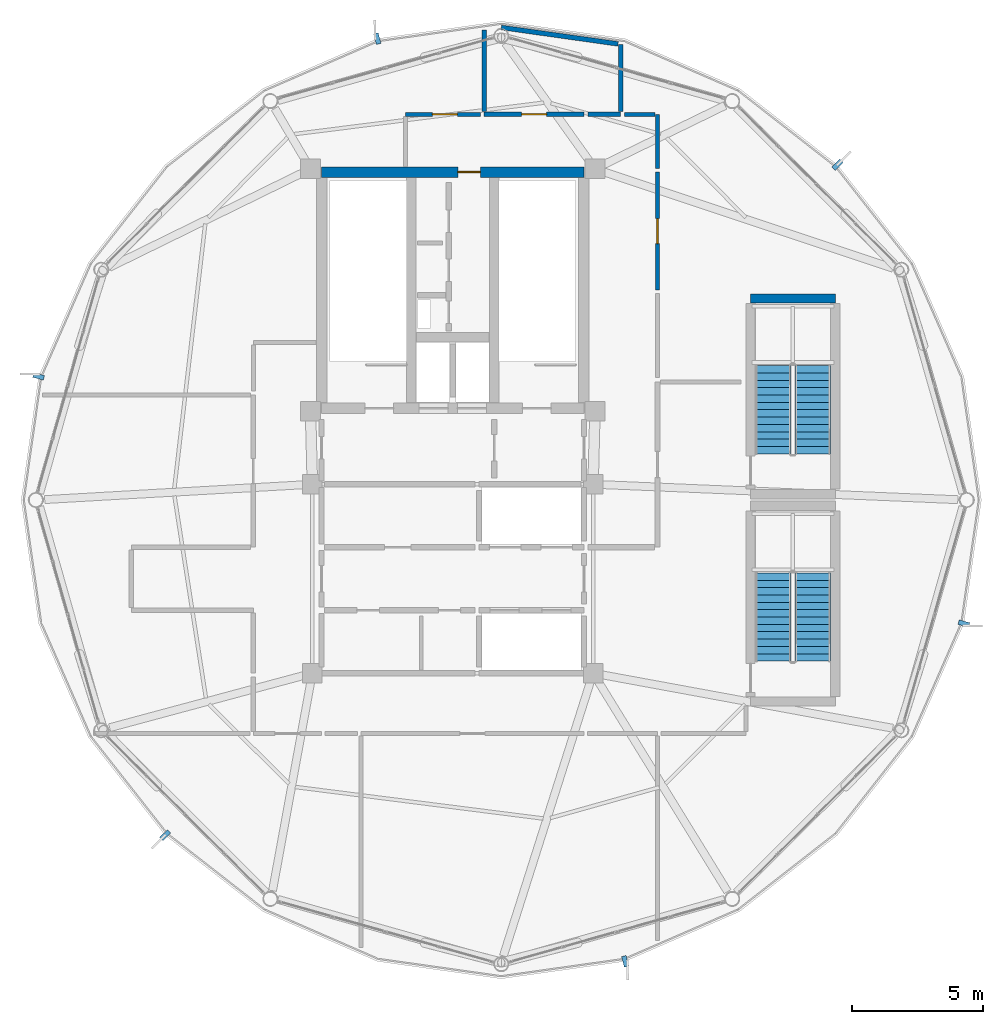
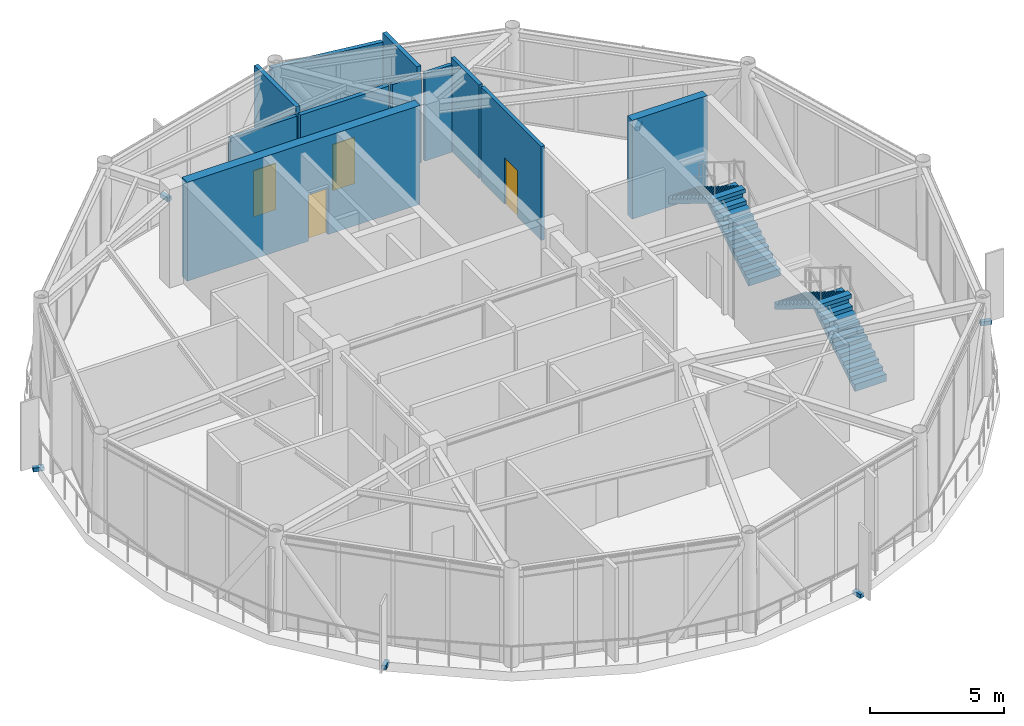
# One storey, part 23 of 26: 11 walls, 6 discrete accessories, 4 doors, 4 stair flights, 4 openings, 2 elements without a shape of their own.
"""IFC4 building model written with IfcOpenShell, lengths in metres."""

from ifc_helpers import new_model, si_unit, direction, frame, frame_2d, origin, origin_2d, place, context, subcontext, project, spatial, polyline, rectangle, outline, extrude, source, transform, mapped, material, layer, layer_set, type_object, type_shapes, element, fill, aggregate, save


model = new_model("IFC4")

# Units and contexts
model_context = context("Model", 3, precision=1e-05, world=origin(), true_north=direction((0.0, 1.0)))
body_context = subcontext(model_context, "Body", "Model", "MODEL_VIEW")
ifc_project = project(units=[si_unit("LENGTHUNIT", "METRE"), si_unit("AREAUNIT", "SQUARE_METRE"), si_unit("VOLUMEUNIT", "CUBIC_METRE"), si_unit("PLANEANGLEUNIT", "RADIAN"), si_unit("MASSUNIT", "GRAM", prefix="KILO")], contexts=[model_context])

# Site, building, storey
site_placement = place(None, origin())
site = spatial("IfcSite", under=ifc_project, at=site_placement, CompositionType="ELEMENT")
building_placement = place(site_placement, origin())
building = spatial("IfcBuilding", under=site, at=building_placement, Name="Varnakorn Sky Granary", CompositionType="ELEMENT")
storey_placement = place(building_placement, frame((0.0, 0.0, 289.5)))
storey = spatial("IfcBuildingStorey", under=building, at=storey_placement, Name="L74", CompositionType="ELEMENT", Elevation=289.5)

# Wall
ifc_material_1 = material(Name="Concrete C50/60", Category="concrete")
ifc_layer_1 = layer(ifc_material_1, 0.35009765625, Name="Concrete C50/60")
ifc_layer_set_1 = layer_set([ifc_layer_1], Name="Concrete C50/60")
wall_type_1 = type_object("IfcWallType", Name="WT-CW-INT-350", PredefinedType="SHEAR", material=ifc_layer_set_1)
wall_1_placement = place(storey_placement, frame((14.35009765625, 7.679931640625, 0.0), z_axis=(0.0, 0.0, 1.0), x_axis=(1.0, 0.0, 0.0)))
element("IfcWall", 1, at=wall_1_placement, inside=storey, type_object=wall_type_1, Name="Crown Stair STC1 North Wall L74", PredefinedType="SHEAR", context=body_context, shape_type="SweptSolid", body=[
    extrude(rectangle(XDim=3.22998046875, YDim=0.35009765625, at=frame_2d((1.614990234375, 0.0))), origin(), (0.0, 0.0, 1.0), 4.491943359375),
])

# Wall, opening, door
ifc_layer_2 = layer(ifc_material_1, 0.39990234375, Name="Concrete C50/60")
ifc_layer_set_2 = layer_set([ifc_layer_2], Name="Concrete C50/60")
wall_type_2 = type_object("IfcWallType", Name="WT-CW-SHEAR-400", PredefinedType="SHEAR", material=ifc_layer_set_2)
wall_2_placement = place(storey_placement, frame((-2.0, 12.5, 0.0), z_axis=(0.0, 0.0, 1.0), x_axis=(1.0, 0.0, 0.0)))
wall_2 = element("IfcWall", 2, at=wall_2_placement, inside=storey, type_object=wall_type_2, Name="Core North Shear Wall L74", PredefinedType="SHEAR", context=body_context, shape_type="SweptSolid", body=[
    extrude(rectangle(XDim=10.0, YDim=0.39990234375, at=frame_2d((5.0, 0.0))), origin(), (0.0, 0.0, 1.0), 4.491943359375),
])
opening_1_placement = place(wall_2_placement, frame((5.199951171875, 0.0, 0.0)))
opening_1 = element("IfcOpeningElement", 3, at=opening_1_placement, cuts=wall_2, Name="Opening FD-60N", PredefinedType="OPENING", context=body_context, shape_type="SweptSolid", body=[
    extrude(rectangle(XDim=0.85009765625, YDim=2.10009765625, at=frame_2d((0.425048828125, 1.050048828125))), frame((0.0, 0.2099609375, 0.0), z_axis=(0.0, -1.0, 0.0), x_axis=(1.0, 0.0, 0.0)), (0.0, 0.0, 1.0), 0.419921875),
])
ifc_material_2 = material(Name="Acoustic Timber Fire Leaf", Category="wood")
door_type_1 = type_object("IfcDoorType", Name="DR-FD60-850", OperationType="NOTDEFINED", PredefinedType="DOOR", material=ifc_material_2)
door_1_placement = place(opening_1_placement, origin())
door_1 = element("IfcDoor", 4, at=door_1_placement, inside=storey, type_object=door_type_1, Name="Core North Service Door L74", OperationType="SINGLE_SWING_RIGHT", OverallHeight=2.10009765625, OverallWidth=0.85009765625, PredefinedType="DOOR", context=body_context, shape_type="SweptSolid", body=[
    extrude(rectangle(XDim=0.85009765625, YDim=2.10009765625, at=frame_2d((0.425048828125, 1.050048828125))), frame((0.0, 0.02490234375, 0.0), z_axis=(0.0, -1.0, 0.0), x_axis=(1.0, 0.0, 0.0)), (0.0, 0.0, 1.0), 0.050048828125),
])
fill(opening_1, door_1)

ifc_material_3 = material(Name="Gypsum Plasterboard on Steel Stud", Category="steel")
ifc_layer_3 = layer(ifc_material_3, 0.14990234375, Name="Gypsum Plasterboard on Steel Stud")
ifc_layer_set_3 = layer_set([ifc_layer_3], Name="Gypsum Plasterboard on Steel Stud")
wall_type_3 = type_object("IfcWallType", Name="WT-PART-150", PredefinedType="PARTITIONING", material=ifc_layer_set_3)
wall_3_placement = place(storey_placement, frame((4.050048828125, 14.699951171875, 0.0), z_axis=(0.0, 0.0, 1.0), x_axis=(-1.0, 0.0, 0.0)))
wall_3 = element("IfcWall", 5, at=wall_3_placement, inside=storey, type_object=wall_type_3, Name="Interior Partition Wall L74-024", PredefinedType="PARTITIONING", context=body_context, shape_type="SweptSolid", body=[
    extrude(rectangle(XDim=2.85009765625, YDim=0.14990234375, at=frame_2d((1.425048828125, 0.0))), origin(), (0.0, 0.0, 1.0), 3.971923828125),
])
opening_2_placement = place(wall_3_placement, frame((0.875, 0.0, 0.0)))
opening_2 = element("IfcOpeningElement", 6, at=opening_2_placement, cuts=wall_3, Name="Opening ID-95", PredefinedType="OPENING", context=body_context, shape_type="SweptSolid", body=[
    extrude(rectangle(XDim=0.949951171875, YDim=2.10009765625, at=frame_2d((0.47509765625, 1.050048828125))), frame((0.0, 0.0849609375, 0.0), z_axis=(0.0, -1.0, 0.0), x_axis=(1.0, 0.0, 0.0)), (0.0, 0.0, 1.0), 0.169921875),
])
ifc_material_4 = material(Name="Solid-Core Teak Veneer Leaf", Category="timber")
door_type_2 = type_object("IfcDoorType", Name="DR-INT-950", OperationType="NOTDEFINED", PredefinedType="DOOR", material=ifc_material_4)
door_2_placement = place(opening_2_placement, origin())
door_2 = element("IfcDoor", 7, at=door_2_placement, inside=storey, type_object=door_type_2, Name="Interior Door L74-024-1", OperationType="SINGLE_SWING_RIGHT", OverallHeight=2.10009765625, OverallWidth=0.949951171875, PredefinedType="DOOR", context=body_context, shape_type="SweptSolid", body=[
    extrude(rectangle(XDim=0.949951171875, YDim=2.10009765625, at=frame_2d((0.47509765625, 1.050048828125))), frame((0.0, 0.02490234375, 0.0), z_axis=(0.0, -1.0, 0.0), x_axis=(1.0, 0.0, 0.0)), (0.0, 0.0, 1.0), 0.050048828125),
])
fill(opening_2, door_2)

wall_4_placement = place(storey_placement, frame((10.800048828125, 8.0, 0.0), z_axis=(0.0, 0.0, 1.0), x_axis=(0.0, 1.0, 0.0)))
wall_4 = element("IfcWall", 8, at=wall_4_placement, inside=storey, type_object=wall_type_3, Name="Interior Partition Wall L74-025", PredefinedType="PARTITIONING", context=body_context, shape_type="SweptSolid", body=[
    extrude(rectangle(XDim=4.5, YDim=0.14990234375, at=frame_2d((2.25, 0.0))), origin(), (0.0, 0.0, 1.0), 4.260009765625),
])
opening_3_placement = place(wall_4_placement, frame((1.77490234375, 0.0, 0.0)))
opening_3 = element("IfcOpeningElement", 9, at=opening_3_placement, cuts=wall_4, Name="Opening ID-95", PredefinedType="OPENING", context=body_context, shape_type="SweptSolid", body=[
    extrude(rectangle(XDim=0.949951171875, YDim=2.10009765625, at=frame_2d((0.47509765625, 1.050048828125))), frame((0.0, 0.0849609375, 0.0), z_axis=(0.0, -1.0, 0.0), x_axis=(1.0, 0.0, 0.0)), (0.0, 0.0, 1.0), 0.169921875),
])
door_3_placement = place(opening_3_placement, origin())
door_3 = element("IfcDoor", 10, at=door_3_placement, inside=storey, type_object=door_type_2, Name="Interior Door L74-025-1", OperationType="SINGLE_SWING_LEFT", OverallHeight=2.10009765625, OverallWidth=0.949951171875, PredefinedType="DOOR", context=body_context, shape_type="SweptSolid", body=[
    extrude(rectangle(XDim=0.949951171875, YDim=2.10009765625, at=frame_2d((0.47509765625, 1.050048828125))), frame((0.0, 0.02490234375, 0.0), z_axis=(0.0, -1.0, 0.0), x_axis=(1.0, 0.0, 0.0)), (0.0, 0.0, 1.0), 0.050048828125),
])
fill(opening_3, door_3)

# Walls
wall_5_placement = place(storey_placement, frame((10.800048828125, 12.635009765625, 0.0), z_axis=(0.0, 0.0, 1.0), x_axis=(0.0, 1.0, 0.0)))
element("IfcWall", 11, at=wall_5_placement, inside=storey, type_object=wall_type_3, Name="Interior Partition Wall L74-050", PredefinedType="PARTITIONING", context=body_context, shape_type="SweptSolid", body=[
    extrude(rectangle(XDim=2.06494140625, YDim=0.14990234375, at=frame_2d((1.032470703125, 0.0))), origin(), (0.0, 0.0, 1.0), 4.260009765625),
])
wall_6_placement = place(storey_placement, frame((10.715087890625, 14.699951171875, 0.0), z_axis=(0.0, 0.0, 1.0), x_axis=(-1.0, 0.0, 0.0)))
element("IfcWall", 12, at=wall_6_placement, inside=storey, type_object=wall_type_3, Name="Interior Partition Wall L74-051", PredefinedType="PARTITIONING", context=body_context, shape_type="SweptSolid", body=[
    extrude(rectangle(XDim=1.1650390625, YDim=0.14990234375, at=frame_2d((0.58251953125, 0.0))), origin(), (0.0, 0.0, 1.0), 3.971923828125),
])

# Wall, opening, door
ifc_material_5 = material(Name="Moisture-Resistant Gypsum on Stud", Category="gypsum")
ifc_layer_4 = layer(ifc_material_5, 0.179931640625, Name="Moisture-Resistant Gypsum on Stud")
ifc_layer_set_4 = layer_set([ifc_layer_4], Name="Moisture-Resistant Gypsum on Stud")
wall_type_4 = type_object("IfcWallType", Name="WT-PLUMB-180", PredefinedType="PLUMBINGWALL", material=ifc_layer_set_4)
wall_7_placement = place(storey_placement, frame((8.0, 14.699951171875, 0.0), z_axis=(0.0, 0.0, 1.0), x_axis=(-1.0, 0.0, 0.0)))
wall_7 = element("IfcWall", 13, at=wall_7_placement, inside=storey, type_object=wall_type_4, Name="Interior Partition Wall L74-020", PredefinedType="PLUMBINGWALL", context=body_context, shape_type="SweptSolid", body=[
    extrude(rectangle(XDim=3.800048828125, YDim=0.179931640625, at=frame_2d((1.89990234375, 0.0))), origin(), (0.0, 0.0, 1.0), 3.971923828125),
])
opening_4_placement = place(wall_7_placement, frame((1.425048828125, 0.0, 0.0)))
opening_4 = element("IfcOpeningElement", 14, at=opening_4_placement, cuts=wall_7, Name="Opening ID-95", PredefinedType="OPENING", context=body_context, shape_type="SweptSolid", body=[
    extrude(rectangle(XDim=0.949951171875, YDim=2.10009765625, at=frame_2d((0.47509765625, 1.050048828125))), frame((0.0, 0.10009765625, 0.0), z_axis=(0.0, -1.0, 0.0), x_axis=(1.0, 0.0, 0.0)), (0.0, 0.0, 1.0), 0.199951171875),
])
door_4_placement = place(opening_4_placement, origin())
door_4 = element("IfcDoor", 15, at=door_4_placement, inside=storey, type_object=door_type_2, Name="Interior Door L74-020-1", OperationType="SINGLE_SWING_RIGHT", OverallHeight=2.10009765625, OverallWidth=0.949951171875, PredefinedType="DOOR", context=body_context, shape_type="SweptSolid", body=[
    extrude(rectangle(XDim=0.949951171875, YDim=2.10009765625, at=frame_2d((0.47509765625, 1.050048828125))), frame((0.0, 0.02490234375, 0.0), z_axis=(0.0, -1.0, 0.0), x_axis=(1.0, 0.0, 0.0)), (0.0, 0.0, 1.0), 0.050048828125),
])
fill(opening_4, door_4)

# Walls
wall_8_placement = place(storey_placement, frame((9.39990234375, 14.699951171875, 0.0), z_axis=(0.0, 0.0, 1.0), x_axis=(-1.0, 0.0, 0.0)))
element("IfcWall", 16, at=wall_8_placement, inside=storey, type_object=wall_type_4, Name="Interior Partition Wall L74-033", PredefinedType="PLUMBINGWALL", context=body_context, shape_type="SweptSolid", body=[
    extrude(rectangle(XDim=1.25, YDim=0.179931640625, at=frame_2d((0.625, 0.0))), origin(), (0.0, 0.0, 1.0), 3.971923828125),
])
wall_9_placement = place(storey_placement, frame((4.199951171875, 17.91796875, 0.0), z_axis=(0.0, 0.0, 1.0), x_axis=(0.0, -1.0, 0.0)))
element("IfcWall", 17, at=wall_9_placement, inside=storey, type_object=wall_type_4, Name="Interior Partition Wall L74-048", PredefinedType="PLUMBINGWALL", context=body_context, shape_type="SweptSolid", body=[
    extrude(rectangle(XDim=3.117919921875, YDim=0.179931640625, at=frame_2d((1.55908203125, 0.0))), origin(), (0.0, 0.0, 1.0), 4.260009765625),
])
wall_10_placement = place(storey_placement, frame((9.39990234375, 14.800048828125, 0.0), z_axis=(0.0, 0.0, 1.0), x_axis=(0.0, 1.0, 0.0)))
element("IfcWall", 18, at=wall_10_placement, inside=storey, type_object=wall_type_4, Name="Interior Partition Wall L74-055", PredefinedType="PLUMBINGWALL", context=body_context, shape_type="SweptSolid", body=[
    extrude(rectangle(XDim=2.56884765625, YDim=0.179931640625, at=frame_2d((1.284423828125, 0.0))), origin(), (0.0, 0.0, 1.0), 4.260009765625),
])
wall_11_placement = place(storey_placement, frame((9.301025390625, 17.383056640625, 0.0), z_axis=(0.0, 0.0, 1.0), x_axis=(-0.990224603287, 0.139482024093, 0.0)))
element("IfcWall", 19, at=wall_11_placement, inside=storey, type_object=wall_type_4, Name="Interior Partition Wall L74-056", PredefinedType="PLUMBINGWALL", context=body_context, shape_type="SweptSolid", body=[
    extrude(rectangle(XDim=4.494873046875, YDim=0.179931640625, at=frame_2d((2.24755859375, 0.0))), origin(), (0.0, 0.0, 1.0), 3.882080078125),
])

# Stair, stair flights
ifc_material_6 = material(Name="Concrete C40/50", Category="concrete")
stair_type = type_object("IfcStairType", Name="ST-CRWN-ASSEMBLY", PredefinedType="HALF_TURN_STAIR", material=ifc_material_6)
stair_1_placement = place(storey_placement, origin())
stair_1 = element("IfcStair", 20, at=stair_1_placement, inside=storey, type_object=stair_type, Name="L74 Crown North Exit Stair ST-C1", PredefinedType="HALF_TURN_STAIR")
stair_flight_type = type_object("IfcStairFlightType", Name="ST-CRWN-FLIGHT", PredefinedType="STRAIGHT", material=ifc_material_6)
stair_flight_1_placement = place(storey_placement, frame((16.719970703125, 1.760009765625, 0.0), z_axis=(0.0, 0.0, 1.0), x_axis=(0.0, 1.0, 0.0)))
stair_flight_1 = element("IfcStairFlight", 21, at=stair_flight_1_placement, type_object=stair_flight_type, Name="ST-C1 flight 1", NumberOfRisers=13, NumberOfTreads=12, PredefinedType="STRAIGHT", RiserHeight=0.173076923, TreadLength=0.28, context=body_context, shape_type="SweptSolid", body=[
    extrude(outline(polyline([(0.0, -0.14990234375), (0.0, 0.0), (0.0, 0.173095703125), (0.280029296875, 0.173095703125), (0.280029296875, 0.34619140625), (0.56005859375, 0.34619140625), (0.56005859375, 0.519287109375), (0.840087890625, 0.519287109375), (0.840087890625, 0.6923828125), (1.1201171875, 0.6923828125), (1.1201171875, 0.865478515625), (1.39990234375, 0.865478515625), (1.39990234375, 1.03857421875), (1.679931640625, 1.03857421875), (1.679931640625, 1.21142578125), (1.9599609375, 1.21142578125), (1.9599609375, 1.384521484375), (2.239990234375, 1.384521484375), (2.239990234375, 1.5576171875), (2.52001953125, 1.5576171875), (2.52001953125, 1.730712890625), (2.800048828125, 1.730712890625), (2.800048828125, 1.90380859375), (3.080078125, 1.90380859375), (3.080078125, 2.076904296875), (3.360107421875, 2.076904296875), (3.360107421875, 2.25), (3.360107421875, 1.900634765625), (0.050048828125, -0.14990234375), (0.0, -0.14990234375)])), frame((0.0, 0.68017578125, 0.0), z_axis=(0.0, -1.0, 0.0), x_axis=(1.0, 0.0, 0.0)), (0.0, 0.0, 1.0), 1.360107421875),
])
stair_flight_2_placement = place(storey_placement, frame((15.2099609375, 5.1201171875, 2.25), z_axis=(0.0, 0.0, 1.0), x_axis=(0.0, -1.0, 0.0)))
stair_flight_2 = element("IfcStairFlight", 22, at=stair_flight_2_placement, type_object=stair_flight_type, Name="ST-C1 flight 2", NumberOfRisers=13, NumberOfTreads=12, PredefinedType="STRAIGHT", RiserHeight=0.173076923, TreadLength=0.28, context=body_context, shape_type="SweptSolid", body=[
    extrude(outline(polyline([(0.0, -0.14990234375), (0.0, 0.0), (0.0, 0.173095703125), (0.280029296875, 0.173095703125), (0.280029296875, 0.34619140625), (0.56005859375, 0.34619140625), (0.56005859375, 0.519287109375), (0.840087890625, 0.519287109375), (0.840087890625, 0.6923828125), (1.1201171875, 0.6923828125), (1.1201171875, 0.865478515625), (1.39990234375, 0.865478515625), (1.39990234375, 1.03857421875), (1.679931640625, 1.03857421875), (1.679931640625, 1.21142578125), (1.9599609375, 1.21142578125), (1.9599609375, 1.384521484375), (2.239990234375, 1.384521484375), (2.239990234375, 1.5576171875), (2.52001953125, 1.5576171875), (2.52001953125, 1.730712890625), (2.800048828125, 1.730712890625), (2.800048828125, 1.90380859375), (3.080078125, 1.90380859375), (3.080078125, 2.076904296875), (3.360107421875, 2.076904296875), (3.360107421875, 2.25), (3.360107421875, 1.900634765625), (0.050048828125, -0.14990234375), (0.0, -0.14990234375)])), frame((0.0, 0.68017578125, 0.0), z_axis=(0.0, -1.0, 0.0), x_axis=(1.0, 0.0, 0.0)), (0.0, 0.0, 1.0), 1.360107421875),
])
aggregate(stair_1, [stair_flight_1, stair_flight_2])

stair_2_placement = place(storey_placement, origin())
stair_2 = element("IfcStair", 23, at=stair_2_placement, inside=storey, type_object=stair_type, Name="L74 Crown South Exit Stair ST-C2", PredefinedType="HALF_TURN_STAIR")
stair_flight_3_placement = place(storey_placement, frame((16.719970703125, -6.139892578125, 0.0), z_axis=(0.0, 0.0, 1.0), x_axis=(0.0, 1.0, 0.0)))
stair_flight_3 = element("IfcStairFlight", 24, at=stair_flight_3_placement, type_object=stair_flight_type, Name="ST-C2 flight 1", NumberOfRisers=13, NumberOfTreads=12, PredefinedType="STRAIGHT", RiserHeight=0.173076923, TreadLength=0.28, context=body_context, shape_type="SweptSolid", body=[
    extrude(outline(polyline([(0.0, -0.14990234375), (0.0, 0.0), (0.0, 0.173095703125), (0.280029296875, 0.173095703125), (0.280029296875, 0.34619140625), (0.56005859375, 0.34619140625), (0.56005859375, 0.519287109375), (0.840087890625, 0.519287109375), (0.840087890625, 0.6923828125), (1.1201171875, 0.6923828125), (1.1201171875, 0.865478515625), (1.39990234375, 0.865478515625), (1.39990234375, 1.03857421875), (1.679931640625, 1.03857421875), (1.679931640625, 1.21142578125), (1.9599609375, 1.21142578125), (1.9599609375, 1.384521484375), (2.239990234375, 1.384521484375), (2.239990234375, 1.5576171875), (2.52001953125, 1.5576171875), (2.52001953125, 1.730712890625), (2.800048828125, 1.730712890625), (2.800048828125, 1.90380859375), (3.080078125, 1.90380859375), (3.080078125, 2.076904296875), (3.360107421875, 2.076904296875), (3.360107421875, 2.25), (3.360107421875, 1.900634765625), (0.050048828125, -0.14990234375), (0.0, -0.14990234375)])), frame((0.0, 0.68017578125, 0.0), z_axis=(0.0, -1.0, 0.0), x_axis=(1.0, 0.0, 0.0)), (0.0, 0.0, 1.0), 1.360107421875),
])
stair_flight_4_placement = place(storey_placement, frame((15.2099609375, -2.780029296875, 2.25), z_axis=(0.0, 0.0, 1.0), x_axis=(0.0, -1.0, 0.0)))
stair_flight_4 = element("IfcStairFlight", 25, at=stair_flight_4_placement, type_object=stair_flight_type, Name="ST-C2 flight 2", NumberOfRisers=13, NumberOfTreads=12, PredefinedType="STRAIGHT", RiserHeight=0.173076923, TreadLength=0.28, context=body_context, shape_type="SweptSolid", body=[
    extrude(outline(polyline([(0.0, -0.14990234375), (0.0, 0.0), (0.0, 0.173095703125), (0.280029296875, 0.173095703125), (0.280029296875, 0.34619140625), (0.56005859375, 0.34619140625), (0.56005859375, 0.519287109375), (0.840087890625, 0.519287109375), (0.840087890625, 0.6923828125), (1.1201171875, 0.6923828125), (1.1201171875, 0.865478515625), (1.39990234375, 0.865478515625), (1.39990234375, 1.03857421875), (1.679931640625, 1.03857421875), (1.679931640625, 1.21142578125), (1.9599609375, 1.21142578125), (1.9599609375, 1.384521484375), (2.239990234375, 1.384521484375), (2.239990234375, 1.5576171875), (2.52001953125, 1.5576171875), (2.52001953125, 1.730712890625), (2.800048828125, 1.730712890625), (2.800048828125, 1.90380859375), (3.080078125, 1.90380859375), (3.080078125, 2.076904296875), (3.360107421875, 2.076904296875), (3.360107421875, 2.25), (3.360107421875, 1.900634765625), (0.050048828125, -0.14990234375), (0.0, -0.14990234375)])), frame((0.0, 0.68017578125, 0.0), z_axis=(0.0, -1.0, 0.0), x_axis=(1.0, 0.0, 0.0)), (0.0, 0.0, 1.0), 1.360107421875),
])
aggregate(stair_2, [stair_flight_3, stair_flight_4])

# Discrete accessories
ifc_material_7 = material(Name="Steel S355JR", Category="steel")
discrete_accessory_type = type_object("IfcDiscreteAccessoryType", Name="AC-BRK-01", PredefinedType="BRACKET", material=ifc_material_7)
shared_shape = source(origin(), body_context, "Body", "SweptSolid", [
    extrude(rectangle(XDim=0.179931640625, YDim=0.419921875, at=origin_2d()), origin(), (0.0, 0.0, 1.0), 0.179931640625),
])
type_shapes(discrete_accessory_type, [shared_shape])
for number, where, z_axis, x_axis, name in (
    (26, (17.662841796875, 12.77734375, -0.2001953125), (0.0, 0.0, 1.0), (-0.706124181473, 0.708088017368, 0.0), "Facade Solar-Screen Outrigger Bracket L74-02"),
    (27, (0.125244140625, 17.584716796875, -0.2001953125), (0.0, 0.0, 1.0), (-0.965746624918, -0.259486909997, 0.0), "Facade Solar-Screen Outrigger Bracket L74-04"),
    (28, (-12.782958984375, 4.711669921875, -0.2001953125), (0.0, 0.0, 1.0), (-0.258150404814, -0.966104739919, 0.0), "Facade Solar-Screen Outrigger Bracket L74-06"),
    (29, (-7.962890625, -12.77734375, -0.2001953125), (0.0, 0.0, 1.0), (0.706124181473, -0.708088017368, 0.0), "Facade Solar-Screen Outrigger Bracket L74-08"),
    (30, (9.57470703125, -17.584716796875, -0.2001953125), (0.0, 0.0, 1.0), (0.965746624918, 0.259486909997, 0.0), "Facade Solar-Screen Outrigger Bracket L74-10"),
    (31, (22.48291015625, -4.711669921875, -0.2001953125), (0.0, 0.0, 1.0), (0.258150404814, 0.966104739919, 0.0), "Facade Solar-Screen Outrigger Bracket L74-12"),
):
    element("IfcDiscreteAccessory", number, at=place(storey_placement, frame(where, z_axis=z_axis, x_axis=x_axis)), inside=storey, type_object=discrete_accessory_type, Name=name, PredefinedType="BRACKET", context=body_context, shape_type="MappedRepresentation", body=[
        mapped(shared_shape, transform((0.0, 0.0, 0.0), x_axis=(1.0, 0.0, 0.0), y_axis=(0.0, 1.0, 0.0), z_axis=(0.0, 0.0, 1.0), scale=1.0)),
    ])

save(model, "model.ifc")
